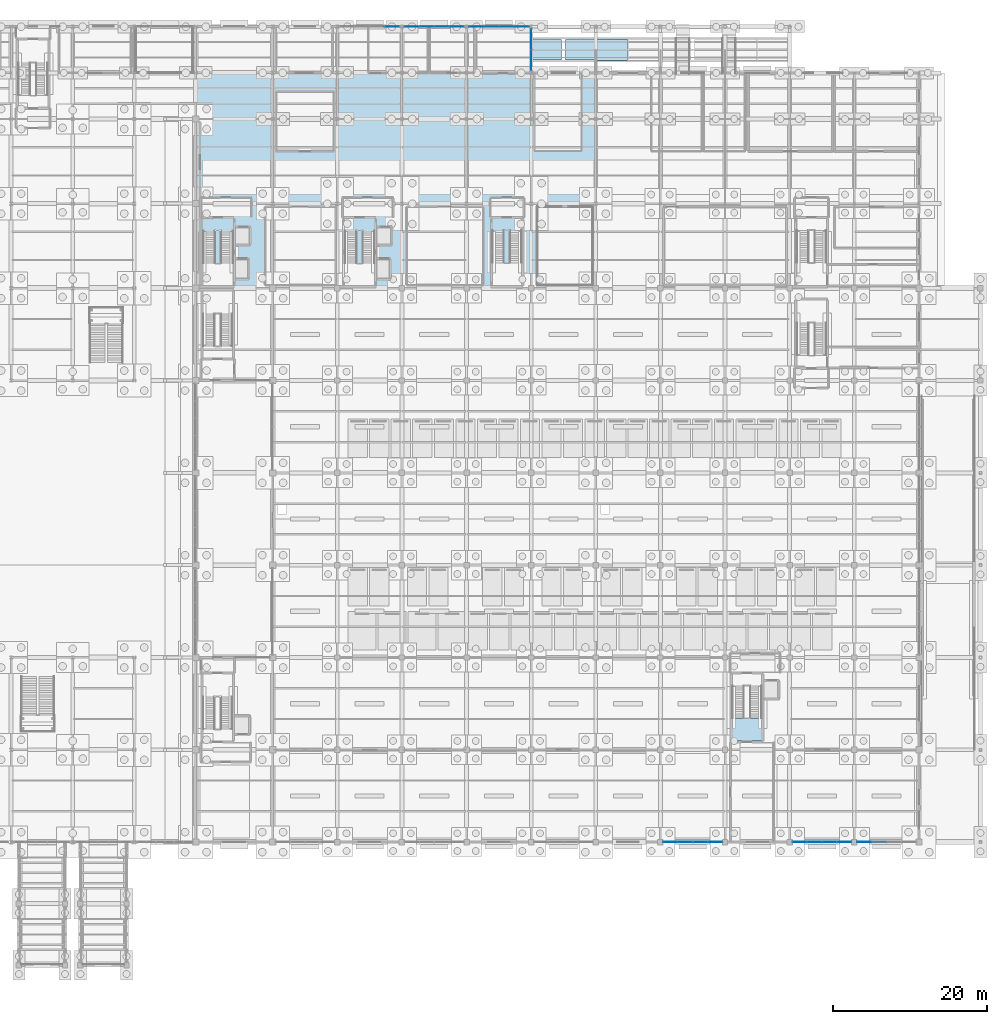
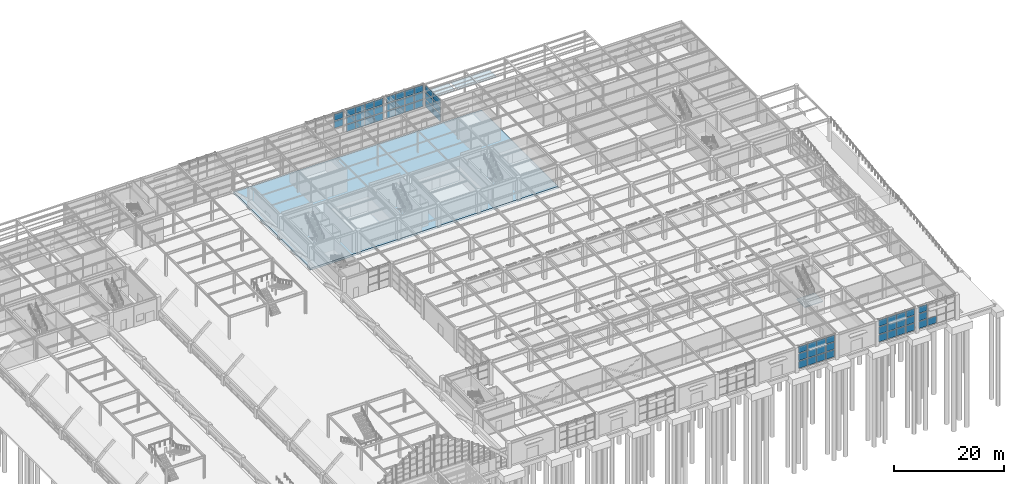
# One storey, part 90 of 129: 63 plates, 2 slabs, 8 elements without a shape of their own.
"""IFC4 building model written with IfcOpenShell, lengths in metres."""

import ifcopenshell
import ifcopenshell.guid

model = None  # the IFC model being written
_history = None  # IfcOwnerHistory: only IFC2X3 demands one
_inside = {}  # id of a spatial element -> (the spatial element, [elements in it])
_under = {}  # id of a project, library or spatial element -> (it, [spatial elements below it])
_declared = {}  # id of a project -> (the project, [libraries it declares])
_typed = {}  # id of a type object -> (the type object, [elements of that type])
_made_of = {}  # id of a material, layer set ... -> (it, [elements and type objects made of it])


def new_model(schema):
    """Start an empty IFC model of exactly this schema.

    Asked for "IFC4X3", IfcOpenShell would pick the latest addendum, in which some entities
    have other attributes; the version numbers below select the first issue.
    IFC2X3 requires an IfcOwnerHistory on every rooted entity: one is made here for all.
    """
    global model, _history
    if schema == "IFC4X3":
        model = ifcopenshell.file(schema_version=(4, 3, 0, 0))
    else:
        model = ifcopenshell.file(schema=schema)
    _inside.clear()
    _under.clear()
    _declared.clear()
    _typed.clear()
    _made_of.clear()
    _history = None
    if model.schema == "IFC2X3":
        org = make("IfcOrganization", Name="unknown")
        user = make(
            "IfcPersonAndOrganization",
            ThePerson=make("IfcPerson", FamilyName="unknown"),
            TheOrganization=org,
        )
        app = make(
            "IfcApplication",
            ApplicationDeveloper=org,
            Version="unknown",
            ApplicationFullName="unknown",
            ApplicationIdentifier="unknown",
        )
        _history = make(
            "IfcOwnerHistory",
            OwningUser=user,
            OwningApplication=app,
            ChangeAction="ADDED",
            CreationDate=0,
        )
    return model


def make(cls, **values):
    """One entity of the class cls with the attributes given. An attribute that is None is left unset."""
    return model.create_entity(
        cls, **{name: value for name, value in values.items() if value is not None}
    )


def rooted(cls, **values):
    """An entity with a GlobalId (a new one), such as an element, a storey or a relation."""
    return make(cls, GlobalId=ifcopenshell.guid.new(), OwnerHistory=_history, **values)


def si_unit(unit_type, name, prefix=None):
    """IfcSIUnit, for example si_unit("LENGTHUNIT", "METRE", prefix="MILLI")."""
    return make("IfcSIUnit", UnitType=unit_type, Prefix=prefix, Name=name)


def assignment(units):
    """IfcUnitAssignment: the units of a project."""
    return None if units is None else make("IfcUnitAssignment", Units=units)


def point(xyz):
    """IfcCartesianPoint."""
    return None if xyz is None else make("IfcCartesianPoint", Coordinates=xyz)


def direction(xyz):
    """IfcDirection."""
    return None if xyz is None else make("IfcDirection", DirectionRatios=xyz)


def frame(location, z_axis=None, x_axis=None):
    """IfcAxis2Placement3D, a coordinate frame: its origin and axes. An axis left out is left unset."""
    return make(
        "IfcAxis2Placement3D",
        Location=point(location),
        Axis=direction(z_axis),
        RefDirection=direction(x_axis),
    )


def frame_2d(location, x_axis=None):
    """IfcAxis2Placement2D, a coordinate frame in the plane: its origin and x axis."""
    return make(
        "IfcAxis2Placement2D", Location=point(location), RefDirection=direction(x_axis)
    )


def origin():
    """The frame at (0, 0, 0) with its axes left unset."""
    return frame((0.0, 0.0, 0.0))


def origin_2d():
    """The frame at (0, 0) in the plane with its x axis left unset."""
    return frame_2d((0.0, 0.0))


def place(relative_to, where):
    """IfcLocalPlacement: puts the frame where relative to a parent placement (None: the world)."""
    return make(
        "IfcLocalPlacement", PlacementRelTo=relative_to, RelativePlacement=where
    )


def context(
    kind, dimensions, precision=None, world=None, true_north=None, identifier=None
):
    """IfcGeometricRepresentationContext, for example the 3D "Model" context."""
    return make(
        "IfcGeometricRepresentationContext",
        ContextIdentifier=identifier,
        ContextType=kind,
        CoordinateSpaceDimension=dimensions,
        Precision=precision,
        WorldCoordinateSystem=world,
        TrueNorth=true_north,
    )


def subcontext(parent, identifier, kind, view, scale=None):
    """IfcGeometricRepresentationSubContext, for example "Body" below "Model"."""
    return make(
        "IfcGeometricRepresentationSubContext",
        ContextIdentifier=identifier,
        ContextType=kind,
        ParentContext=parent,
        TargetScale=scale,
        TargetView=view,
    )


def project(units=None, contexts=None):
    """IfcProject with its units and contexts."""
    return rooted(
        "IfcProject",
        Name="project",
        RepresentationContexts=contexts,
        UnitsInContext=assignment(units),
    )


def spatial(cls, under=None, at=None, **own):
    """A site, building, storey or space (cls), placed at a placement, below another one or the project."""
    s = rooted(cls, ObjectPlacement=at, **own)
    if under is not None:
        _under.setdefault(under.id(), (under, []))[1].append(s)
    return s


def polyline(points):
    """IfcPolyline through the points."""
    return make("IfcPolyline", Points=[point(p) for p in points])


def profile(cls, at=None, kind="AREA", **sizes):
    """A parametric profile (cls). Its sizes go by their IFC names, for example OverallWidth=200.0."""
    return make(cls, ProfileType=kind, Position=at, **sizes)


def rectangle(**sizes):
    """IfcRectangleProfileDef."""
    return profile("IfcRectangleProfileDef", **sizes)


def outline(outer, holes=None, kind="AREA"):
    """IfcArbitraryClosedProfileDef: a profile drawn as a closed curve; with holes, ...WithVoids."""
    if holes is None:
        return make("IfcArbitraryClosedProfileDef", ProfileType=kind, OuterCurve=outer)
    return make(
        "IfcArbitraryProfileDefWithVoids",
        ProfileType=kind,
        OuterCurve=outer,
        InnerCurves=holes,
    )


def extrude(swept, where, along, depth):
    """IfcExtrudedAreaSolid: the profile swept, set in the frame where, extruded along a direction by depth."""
    return make(
        "IfcExtrudedAreaSolid",
        SweptArea=swept,
        Position=where,
        ExtrudedDirection=direction(along),
        Depth=depth,
    )


def shape(context_of_items, identifier, shape_type, items):
    """IfcShapeRepresentation: the items that make up one representation, for example the "Body"."""
    return make(
        "IfcShapeRepresentation",
        ContextOfItems=context_of_items,
        RepresentationIdentifier=identifier,
        RepresentationType=shape_type,
        Items=items,
    )


def material(Name=None, Category=None):
    """IfcMaterial."""
    return make("IfcMaterial", Name=Name, Category=Category)


def layer(
    of_material, thickness, ventilated=None, Name=None, Category=None, Priority=None
):
    """IfcMaterialLayer: one layer of a wall or slab, of a material (None: an air gap)."""
    return make(
        "IfcMaterialLayer",
        Material=of_material,
        LayerThickness=thickness,
        IsVentilated=ventilated,
        Name=Name,
        Category=Category,
        Priority=Priority,
    )


def layer_set(layers, Name=None):
    """IfcMaterialLayerSet."""
    return make("IfcMaterialLayerSet", MaterialLayers=layers, LayerSetName=Name)


def made_of(thing, what):
    """Note that an element or type object is made of a material, layer set ...; save() writes the relation."""
    if what is not None:
        _made_of.setdefault(what.id(), (what, []))[1].append(thing)
    return thing


def type_object(cls, material=None, **own):
    """A type object (cls), such as IfcWallType, which elements share."""
    return made_of(rooted(cls, **own), material)


def element(
    cls,
    number,
    at=None,
    inside=None,
    cuts=None,
    type_object=None,
    material=None,
    context=None,
    identifier="Body",
    shape_type=None,
    held_by="IfcProductDefinitionShape",
    body=None,
    shapes=None,
    **own,
):
    """One element of the class cls, such as IfcWall. Its Tag is "e" and its number.

    at: its placement. inside: the storey or other place that contains it. cuts: it is an
    opening in that element (IfcRelVoidsElement). A single representation is given by context,
    identifier, shape_type and body (its items); several are given by shapes. held_by: the class
    of the entity that holds the representations. save() writes the other relations.
    """
    e = rooted(cls, Tag="e%d" % number, ObjectPlacement=at, **own)
    if body is not None:
        shapes = [shape(context, identifier, shape_type, body)]
    if shapes is not None:
        e.Representation = make(held_by, Representations=shapes)
    if inside is not None:
        _inside.setdefault(inside.id(), (inside, []))[1].append(e)
    if cuts is not None:
        rooted(
            "IfcRelVoidsElement", RelatingBuildingElement=cuts, RelatedOpeningElement=e
        )
    if type_object is not None:
        _typed.setdefault(type_object.id(), (type_object, []))[1].append(e)
    return made_of(e, material)


def aggregate(whole, parts):
    """IfcRelAggregates: a whole, such as a stair, and the parts it consists of."""
    return rooted("IfcRelAggregates", RelatingObject=whole, RelatedObjects=parts)


def save(model, path):
    """Write the relations noted so far, then the file.

    IfcRelAggregates (storeys below a building ...), IfcRelContainedInSpatialStructure (elements
    in a storey), IfcRelDefinesByType, IfcRelAssociatesMaterial and IfcRelDeclares: one each for
    every whole, place, type object, material and project.
    """
    for whole, parts in _under.values():
        aggregate(whole, parts)
    for where, things in _inside.values():
        rooted(
            "IfcRelContainedInSpatialStructure",
            RelatedElements=things,
            RelatingStructure=where,
        )
    for kind, things in _typed.values():
        rooted("IfcRelDefinesByType", RelatedObjects=things, RelatingType=kind)
    for what, things in _made_of.values():
        rooted("IfcRelAssociatesMaterial", RelatedObjects=things, RelatingMaterial=what)
    for by, libraries in _declared.values():
        rooted("IfcRelDeclares", RelatingContext=by, RelatedDefinitions=libraries)
    model.write(path)


model = new_model("IFC4")

# Units and contexts
model_context = context("Model", 3, precision=1e-05, world=origin(), true_north=direction((0.0, 1.0)))
body_context = subcontext(model_context, "Body", "Model", "MODEL_VIEW")
ifc_project = project(units=[si_unit("LENGTHUNIT", "METRE"), si_unit("AREAUNIT", "SQUARE_METRE"), si_unit("VOLUMEUNIT", "CUBIC_METRE"), si_unit("PLANEANGLEUNIT", "RADIAN"), si_unit("MASSUNIT", "GRAM", prefix="KILO")], contexts=[model_context])

# Site, building, storey
site_placement = place(None, origin())
site = spatial("IfcSite", under=ifc_project, at=site_placement, CompositionType="ELEMENT")
building_placement = place(site_placement, origin())
building = spatial("IfcBuilding", under=site, at=building_placement, Name="Sitalva Quay Ferry Terminal", CompositionType="ELEMENT")
storey_placement = place(building_placement, origin())
storey = spatial("IfcBuildingStorey", under=building, at=storey_placement, Name="L01", CompositionType="ELEMENT", Elevation=0.0)

# Curtain wall, plates
ifc_material_1 = material(Name="Anodised Aluminium & Low-E Glazing", Category="aluminium")
ifc_layer_1 = layer(ifc_material_1, 0.159912109375)
ifc_layer_set_1 = layer_set([ifc_layer_1], Name="Anodised Aluminium & Low-E Glazing")
curtain_wall_type_1 = type_object("IfcCurtainWallType", Name="CW_Podium_Stick", PredefinedType="USERDEFINED", material=ifc_layer_set_1)
curtain_wall_1_placement = place(storey_placement, origin())
curtain_wall_1 = element("IfcCurtainWall", 1, at=curtain_wall_1_placement, inside=storey, type_object=curtain_wall_type_1, Name="Forecourt east return glazing L01 (CW-L01-101)", ObjectType="CURTAIN_WALL", PredefinedType="USERDEFINED")
ifc_material_2 = material(Name="Laminated Low-E Double Glazing", Category="glass")
ifc_layer_2 = layer(ifc_material_2, 0.028076171875)
ifc_layer_set_2 = layer_set([ifc_layer_2], Name="Laminated Low-E Double Glazing")
plate_type_1 = type_object("IfcPlateType", Name="Panel_LowE_IGU_28", PredefinedType="CURTAIN_PANEL", material=ifc_layer_set_2)
plate_1_placement = place(storey_placement, frame((117.60009765625, 107.64990234375, 0.155029296875), z_axis=(0.0, 0.0, 1.0), x_axis=(0.0, 1.0, 0.0)))
plate_1 = element("IfcPlate", 2, at=plate_1_placement, type_object=plate_type_1, Name="CW-L01-101-P0-0", PredefinedType="CURTAIN_PANEL", context=body_context, shape_type="SweptSolid", body=[
    extrude(rectangle(XDim=2.625, YDim=0.028076171875, at=origin_2d()), origin(), (0.0, 0.0, 1.0), 1.5517578125),
])
plate_2_placement = place(storey_placement, frame((117.60009765625, 107.64990234375, 1.861572265625), z_axis=(0.0, 0.0, 1.0), x_axis=(0.0, 1.0, 0.0)))
plate_2 = element("IfcPlate", 3, at=plate_2_placement, type_object=plate_type_1, Name="CW-L01-101-P0-1", PredefinedType="CURTAIN_PANEL", context=body_context, shape_type="SweptSolid", body=[
    extrude(rectangle(XDim=2.625, YDim=0.028076171875, at=origin_2d()), origin(), (0.0, 0.0, 1.0), 1.5517578125),
])
plate_3_placement = place(storey_placement, frame((117.60009765625, 107.64990234375, 3.568359375), z_axis=(0.0, 0.0, 1.0), x_axis=(0.0, 1.0, 0.0)))
plate_3 = element("IfcPlate", 4, at=plate_3_placement, type_object=plate_type_1, Name="CW-L01-101-P0-2", PredefinedType="CURTAIN_PANEL", context=body_context, shape_type="SweptSolid", body=[
    extrude(rectangle(XDim=2.625, YDim=0.028076171875, at=origin_2d()), origin(), (0.0, 0.0, 1.0), 1.396728515625),
])
plate_4_placement = place(storey_placement, frame((117.60009765625, 110.35009765625, 0.155029296875), z_axis=(0.0, 0.0, 1.0), x_axis=(0.0, 1.0, 0.0)))
plate_4 = element("IfcPlate", 5, at=plate_4_placement, type_object=plate_type_1, Name="CW-L01-101-P1-0", PredefinedType="CURTAIN_PANEL", context=body_context, shape_type="SweptSolid", body=[
    extrude(rectangle(XDim=2.625, YDim=0.028076171875, at=origin_2d()), origin(), (0.0, 0.0, 1.0), 1.5517578125),
])
plate_5_placement = place(storey_placement, frame((117.60009765625, 110.35009765625, 1.861572265625), z_axis=(0.0, 0.0, 1.0), x_axis=(0.0, 1.0, 0.0)))
plate_5 = element("IfcPlate", 6, at=plate_5_placement, type_object=plate_type_1, Name="CW-L01-101-P1-1", PredefinedType="CURTAIN_PANEL", context=body_context, shape_type="SweptSolid", body=[
    extrude(rectangle(XDim=2.625, YDim=0.028076171875, at=origin_2d()), origin(), (0.0, 0.0, 1.0), 1.5517578125),
])
plate_6_placement = place(storey_placement, frame((117.60009765625, 110.35009765625, 3.568359375), z_axis=(0.0, 0.0, 1.0), x_axis=(0.0, 1.0, 0.0)))
plate_6 = element("IfcPlate", 7, at=plate_6_placement, type_object=plate_type_1, Name="CW-L01-101-P1-2", PredefinedType="CURTAIN_PANEL", context=body_context, shape_type="SweptSolid", body=[
    extrude(rectangle(XDim=2.625, YDim=0.028076171875, at=origin_2d()), origin(), (0.0, 0.0, 1.0), 1.396728515625),
])
aggregate(curtain_wall_1, [plate_1, plate_2, plate_3, plate_4, plate_5, plate_6])

ifc_material_3 = material(Name="Anodised Aluminium & Low-E Glazing", Category="aluminium")
ifc_layer_3 = layer(ifc_material_3, 0.159912109375)
ifc_layer_set_3 = layer_set([ifc_layer_3], Name="Anodised Aluminium & Low-E Glazing")
curtain_wall_type_2 = type_object("IfcCurtainWallType", Name="CW_Concourse_Unitised", PredefinedType="USERDEFINED", material=ifc_layer_set_3)
curtain_wall_2_placement = place(storey_placement, origin())
curtain_wall_2 = element("IfcCurtainWall", 8, at=curtain_wall_2_placement, inside=storey, type_object=curtain_wall_type_2, Name="South-east quay concourse curtain wall (CW-L01-067)", ObjectType="CURTAIN_WALL", PredefinedType="USERDEFINED")
ifc_material_4 = material(Name="Acoustic Laminated Marine Glazing", Category="glass")
ifc_layer_4 = layer(ifc_material_4, 0.033935546875)
ifc_layer_set_4 = layer_set([ifc_layer_4], Name="Acoustic Laminated Marine Glazing")
plate_type_2 = type_object("IfcPlateType", Name="Panel_Marine_IGU_34", PredefinedType="CURTAIN_PANEL", material=ifc_layer_set_4)
plate_7_placement = place(storey_placement, frame((135.71240234375, 6.0, 1.856689453125), z_axis=(0.0, 0.0, 1.0), x_axis=(1.0, 0.0, 0.0)))
plate_7 = element("IfcPlate", 9, at=plate_7_placement, type_object=plate_type_2, Name="CW-L01-067-P0-1", PredefinedType="CURTAIN_PANEL", context=body_context, shape_type="SweptSolid", body=[
    extrude(rectangle(XDim=1.840087890625, YDim=0.033935546875, at=origin_2d()), origin(), (0.0, 0.0, 1.0), 1.556640625),
])
plate_8_placement = place(storey_placement, frame((135.71240234375, 6.0, 3.563232421875), z_axis=(0.0, 0.0, 1.0), x_axis=(1.0, 0.0, 0.0)))
plate_8 = element("IfcPlate", 10, at=plate_8_placement, type_object=plate_type_2, Name="CW-L01-067-P0-2", PredefinedType="CURTAIN_PANEL", context=body_context, shape_type="SweptSolid", body=[
    extrude(rectangle(XDim=1.840087890625, YDim=0.033935546875, at=origin_2d()), origin(), (0.0, 0.0, 1.0), 1.40673828125),
])
plate_9_placement = place(storey_placement, frame((137.637451171875, 6.0, 1.856689453125), z_axis=(0.0, 0.0, 1.0), x_axis=(1.0, 0.0, 0.0)))
plate_9 = element("IfcPlate", 11, at=plate_9_placement, type_object=plate_type_2, Name="CW-L01-067-P1-1", PredefinedType="CURTAIN_PANEL", context=body_context, shape_type="SweptSolid", body=[
    extrude(rectangle(XDim=1.840087890625, YDim=0.033935546875, at=origin_2d()), origin(), (0.0, 0.0, 1.0), 1.556640625),
])
plate_10_placement = place(storey_placement, frame((137.637451171875, 6.0, 3.563232421875), z_axis=(0.0, 0.0, 1.0), x_axis=(1.0, 0.0, 0.0)))
plate_10 = element("IfcPlate", 12, at=plate_10_placement, type_object=plate_type_2, Name="CW-L01-067-P1-2", PredefinedType="CURTAIN_PANEL", context=body_context, shape_type="SweptSolid", body=[
    extrude(rectangle(XDim=1.840087890625, YDim=0.033935546875, at=origin_2d()), origin(), (0.0, 0.0, 1.0), 1.40673828125),
])
plate_11_placement = place(storey_placement, frame((139.5625, 6.0, 1.856689453125), z_axis=(0.0, 0.0, 1.0), x_axis=(1.0, 0.0, 0.0)))
plate_11 = element("IfcPlate", 13, at=plate_11_placement, type_object=plate_type_2, Name="CW-L01-067-P2-1", PredefinedType="CURTAIN_PANEL", context=body_context, shape_type="SweptSolid", body=[
    extrude(rectangle(XDim=1.840087890625, YDim=0.033935546875, at=origin_2d()), origin(), (0.0, 0.0, 1.0), 1.556640625),
])
plate_12_placement = place(storey_placement, frame((139.5625, 6.0, 3.563232421875), z_axis=(0.0, 0.0, 1.0), x_axis=(1.0, 0.0, 0.0)))
plate_12 = element("IfcPlate", 14, at=plate_12_placement, type_object=plate_type_2, Name="CW-L01-067-P2-2", PredefinedType="CURTAIN_PANEL", context=body_context, shape_type="SweptSolid", body=[
    extrude(rectangle(XDim=1.840087890625, YDim=0.033935546875, at=origin_2d()), origin(), (0.0, 0.0, 1.0), 1.40673828125),
])
plate_13_placement = place(storey_placement, frame((141.487548828125, 6.0, 1.856689453125), z_axis=(0.0, 0.0, 1.0), x_axis=(1.0, 0.0, 0.0)))
plate_13 = element("IfcPlate", 15, at=plate_13_placement, type_object=plate_type_2, Name="CW-L01-067-P3-1", PredefinedType="CURTAIN_PANEL", context=body_context, shape_type="SweptSolid", body=[
    extrude(rectangle(XDim=1.840087890625, YDim=0.033935546875, at=origin_2d()), origin(), (0.0, 0.0, 1.0), 1.556640625),
])
plate_14_placement = place(storey_placement, frame((141.487548828125, 6.0, 3.563232421875), z_axis=(0.0, 0.0, 1.0), x_axis=(1.0, 0.0, 0.0)))
plate_14 = element("IfcPlate", 16, at=plate_14_placement, type_object=plate_type_2, Name="CW-L01-067-P3-2", PredefinedType="CURTAIN_PANEL", context=body_context, shape_type="SweptSolid", body=[
    extrude(rectangle(XDim=1.840087890625, YDim=0.033935546875, at=origin_2d()), origin(), (0.0, 0.0, 1.0), 1.40673828125),
])

curtain_wall_3_placement = place(storey_placement, origin())
curtain_wall_3 = element("IfcCurtainWall", 17, at=curtain_wall_3_placement, inside=storey, type_object=curtain_wall_type_2, Name="South-east quay concourse curtain wall (CW-L01-070)", ObjectType="CURTAIN_WALL", PredefinedType="USERDEFINED")
plate_15_placement = place(storey_placement, frame((152.512451171875, 6.0, 1.856689453125), z_axis=(0.0, 0.0, 1.0), x_axis=(1.0, 0.0, 0.0)))
plate_15 = element("IfcPlate", 18, at=plate_15_placement, type_object=plate_type_2, Name="CW-L01-070-P0-1", PredefinedType="CURTAIN_PANEL", context=body_context, shape_type="SweptSolid", body=[
    extrude(rectangle(XDim=1.840087890625, YDim=0.033935546875, at=origin_2d()), origin(), (0.0, 0.0, 1.0), 1.556640625),
])
plate_16_placement = place(storey_placement, frame((152.512451171875, 6.0, 3.563232421875), z_axis=(0.0, 0.0, 1.0), x_axis=(1.0, 0.0, 0.0)))
plate_16 = element("IfcPlate", 19, at=plate_16_placement, type_object=plate_type_2, Name="CW-L01-070-P0-2", PredefinedType="CURTAIN_PANEL", context=body_context, shape_type="SweptSolid", body=[
    extrude(rectangle(XDim=1.840087890625, YDim=0.033935546875, at=origin_2d()), origin(), (0.0, 0.0, 1.0), 1.40673828125),
])
plate_17_placement = place(storey_placement, frame((154.4375, 6.0, 1.856689453125), z_axis=(0.0, 0.0, 1.0), x_axis=(1.0, 0.0, 0.0)))
plate_17 = element("IfcPlate", 20, at=plate_17_placement, type_object=plate_type_2, Name="CW-L01-070-P1-1", PredefinedType="CURTAIN_PANEL", context=body_context, shape_type="SweptSolid", body=[
    extrude(rectangle(XDim=1.840087890625, YDim=0.033935546875, at=origin_2d()), origin(), (0.0, 0.0, 1.0), 1.556640625),
])
plate_18_placement = place(storey_placement, frame((154.4375, 6.0, 3.563232421875), z_axis=(0.0, 0.0, 1.0), x_axis=(1.0, 0.0, 0.0)))
plate_18 = element("IfcPlate", 21, at=plate_18_placement, type_object=plate_type_2, Name="CW-L01-070-P1-2", PredefinedType="CURTAIN_PANEL", context=body_context, shape_type="SweptSolid", body=[
    extrude(rectangle(XDim=1.840087890625, YDim=0.033935546875, at=origin_2d()), origin(), (0.0, 0.0, 1.0), 1.40673828125),
])
plate_19_placement = place(storey_placement, frame((156.362548828125, 6.0, 1.856689453125), z_axis=(0.0, 0.0, 1.0), x_axis=(1.0, 0.0, 0.0)))
plate_19 = element("IfcPlate", 22, at=plate_19_placement, type_object=plate_type_2, Name="CW-L01-070-P2-1", PredefinedType="CURTAIN_PANEL", context=body_context, shape_type="SweptSolid", body=[
    extrude(rectangle(XDim=1.840087890625, YDim=0.033935546875, at=origin_2d()), origin(), (0.0, 0.0, 1.0), 1.556640625),
])
plate_20_placement = place(storey_placement, frame((156.362548828125, 6.0, 3.563232421875), z_axis=(0.0, 0.0, 1.0), x_axis=(1.0, 0.0, 0.0)))
plate_20 = element("IfcPlate", 23, at=plate_20_placement, type_object=plate_type_2, Name="CW-L01-070-P2-2", PredefinedType="CURTAIN_PANEL", context=body_context, shape_type="SweptSolid", body=[
    extrude(rectangle(XDim=1.840087890625, YDim=0.033935546875, at=origin_2d()), origin(), (0.0, 0.0, 1.0), 1.40673828125),
])
plate_21_placement = place(storey_placement, frame((158.28759765625, 6.0, 1.856689453125), z_axis=(0.0, 0.0, 1.0), x_axis=(1.0, 0.0, 0.0)))
plate_21 = element("IfcPlate", 24, at=plate_21_placement, type_object=plate_type_2, Name="CW-L01-070-P3-1", PredefinedType="CURTAIN_PANEL", context=body_context, shape_type="SweptSolid", body=[
    extrude(rectangle(XDim=1.840087890625, YDim=0.033935546875, at=origin_2d()), origin(), (0.0, 0.0, 1.0), 1.556640625),
])
plate_22_placement = place(storey_placement, frame((158.28759765625, 6.0, 3.563232421875), z_axis=(0.0, 0.0, 1.0), x_axis=(1.0, 0.0, 0.0)))
plate_22 = element("IfcPlate", 25, at=plate_22_placement, type_object=plate_type_2, Name="CW-L01-070-P3-2", PredefinedType="CURTAIN_PANEL", context=body_context, shape_type="SweptSolid", body=[
    extrude(rectangle(XDim=1.840087890625, YDim=0.033935546875, at=origin_2d()), origin(), (0.0, 0.0, 1.0), 1.40673828125),
])

curtain_wall_4_placement = place(storey_placement, origin())
curtain_wall_4 = element("IfcCurtainWall", 26, at=curtain_wall_4_placement, inside=storey, type_object=curtain_wall_type_2, Name="South-east quay concourse curtain wall (CW-L01-072)", ObjectType="CURTAIN_WALL", PredefinedType="USERDEFINED")
plate_23_placement = place(storey_placement, frame((160.91259765625, 6.0, 1.856689453125), z_axis=(0.0, 0.0, 1.0), x_axis=(1.0, 0.0, 0.0)))
plate_23 = element("IfcPlate", 27, at=plate_23_placement, type_object=plate_type_2, Name="CW-L01-072-P0-1", PredefinedType="CURTAIN_PANEL", context=body_context, shape_type="SweptSolid", body=[
    extrude(rectangle(XDim=1.840087890625, YDim=0.033935546875, at=origin_2d()), origin(), (0.0, 0.0, 1.0), 1.556640625),
])
plate_24_placement = place(storey_placement, frame((160.91259765625, 6.0, 3.563232421875), z_axis=(0.0, 0.0, 1.0), x_axis=(1.0, 0.0, 0.0)))
plate_24 = element("IfcPlate", 28, at=plate_24_placement, type_object=plate_type_2, Name="CW-L01-072-P0-2", PredefinedType="CURTAIN_PANEL", context=body_context, shape_type="SweptSolid", body=[
    extrude(rectangle(XDim=1.840087890625, YDim=0.033935546875, at=origin_2d()), origin(), (0.0, 0.0, 1.0), 1.40673828125),
])

curtain_wall_5_placement = place(storey_placement, origin())
curtain_wall_5 = element("IfcCurtainWall", 29, at=curtain_wall_5_placement, inside=storey, type_object=curtain_wall_type_2, Name="Forecourt arrival hall glazing L01 (CW-L01-103)", ObjectType="CURTAIN_WALL", PredefinedType="USERDEFINED")
plate_25_placement = place(storey_placement, frame((99.52490234375, 112.0, 1.856689453125), z_axis=(0.0, 0.0, 1.0), x_axis=(1.0, 0.0, 0.0)))
plate_25 = element("IfcPlate", 30, at=plate_25_placement, type_object=plate_type_2, Name="CW-L01-103-P3-1", PredefinedType="CURTAIN_PANEL", context=body_context, shape_type="SweptSolid", body=[
    extrude(rectangle(XDim=1.864990234375, YDim=0.033935546875, at=origin_2d()), origin(), (0.0, 0.0, 1.0), 1.556640625),
])
plate_26_placement = place(storey_placement, frame((99.52490234375, 112.0, 3.563232421875), z_axis=(0.0, 0.0, 1.0), x_axis=(1.0, 0.0, 0.0)))
plate_26 = element("IfcPlate", 31, at=plate_26_placement, type_object=plate_type_2, Name="CW-L01-103-P3-2", PredefinedType="CURTAIN_PANEL", context=body_context, shape_type="SweptSolid", body=[
    extrude(rectangle(XDim=1.864990234375, YDim=0.033935546875, at=origin_2d()), origin(), (0.0, 0.0, 1.0), 1.40673828125),
])
aggregate(curtain_wall_5, [plate_25, plate_26])

curtain_wall_6_placement = place(storey_placement, origin())
curtain_wall_6 = element("IfcCurtainWall", 32, at=curtain_wall_6_placement, inside=storey, type_object=curtain_wall_type_2, Name="Forecourt arrival hall glazing L01 (CW-L01-104)", ObjectType="CURTAIN_WALL", PredefinedType="USERDEFINED")
plate_27_placement = place(storey_placement, frame((102.074951171875, 112.0, 0.14990234375), z_axis=(0.0, 0.0, 1.0), x_axis=(1.0, 0.0, 0.0)))
plate_27 = element("IfcPlate", 33, at=plate_27_placement, type_object=plate_type_2, Name="CW-L01-104-P0-0", PredefinedType="CURTAIN_PANEL", context=body_context, shape_type="SweptSolid", body=[
    extrude(rectangle(XDim=1.864990234375, YDim=0.033935546875, at=origin_2d()), origin(), (0.0, 0.0, 1.0), 1.556640625),
])
plate_28_placement = place(storey_placement, frame((102.074951171875, 112.0, 1.856689453125), z_axis=(0.0, 0.0, 1.0), x_axis=(1.0, 0.0, 0.0)))
plate_28 = element("IfcPlate", 34, at=plate_28_placement, type_object=plate_type_2, Name="CW-L01-104-P0-1", PredefinedType="CURTAIN_PANEL", context=body_context, shape_type="SweptSolid", body=[
    extrude(rectangle(XDim=1.864990234375, YDim=0.033935546875, at=origin_2d()), origin(), (0.0, 0.0, 1.0), 1.556640625),
])
plate_29_placement = place(storey_placement, frame((102.074951171875, 112.0, 3.563232421875), z_axis=(0.0, 0.0, 1.0), x_axis=(1.0, 0.0, 0.0)))
plate_29 = element("IfcPlate", 35, at=plate_29_placement, type_object=plate_type_2, Name="CW-L01-104-P0-2", PredefinedType="CURTAIN_PANEL", context=body_context, shape_type="SweptSolid", body=[
    extrude(rectangle(XDim=1.864990234375, YDim=0.033935546875, at=origin_2d()), origin(), (0.0, 0.0, 1.0), 1.40673828125),
])
plate_30_placement = place(storey_placement, frame((104.02490234375, 112.0, 0.14990234375), z_axis=(0.0, 0.0, 1.0), x_axis=(1.0, 0.0, 0.0)))
plate_30 = element("IfcPlate", 36, at=plate_30_placement, type_object=plate_type_2, Name="CW-L01-104-P1-0", PredefinedType="CURTAIN_PANEL", context=body_context, shape_type="SweptSolid", body=[
    extrude(rectangle(XDim=1.864990234375, YDim=0.033935546875, at=origin_2d()), origin(), (0.0, 0.0, 1.0), 1.556640625),
])
plate_31_placement = place(storey_placement, frame((104.02490234375, 112.0, 1.856689453125), z_axis=(0.0, 0.0, 1.0), x_axis=(1.0, 0.0, 0.0)))
plate_31 = element("IfcPlate", 37, at=plate_31_placement, type_object=plate_type_2, Name="CW-L01-104-P1-1", PredefinedType="CURTAIN_PANEL", context=body_context, shape_type="SweptSolid", body=[
    extrude(rectangle(XDim=1.864990234375, YDim=0.033935546875, at=origin_2d()), origin(), (0.0, 0.0, 1.0), 1.556640625),
])
plate_32_placement = place(storey_placement, frame((104.02490234375, 112.0, 3.563232421875), z_axis=(0.0, 0.0, 1.0), x_axis=(1.0, 0.0, 0.0)))
plate_32 = element("IfcPlate", 38, at=plate_32_placement, type_object=plate_type_2, Name="CW-L01-104-P1-2", PredefinedType="CURTAIN_PANEL", context=body_context, shape_type="SweptSolid", body=[
    extrude(rectangle(XDim=1.864990234375, YDim=0.033935546875, at=origin_2d()), origin(), (0.0, 0.0, 1.0), 1.40673828125),
])
plate_33_placement = place(storey_placement, frame((105.97509765625, 112.0, 0.14990234375), z_axis=(0.0, 0.0, 1.0), x_axis=(1.0, 0.0, 0.0)))
plate_33 = element("IfcPlate", 39, at=plate_33_placement, type_object=plate_type_2, Name="CW-L01-104-P2-0", PredefinedType="CURTAIN_PANEL", context=body_context, shape_type="SweptSolid", body=[
    extrude(rectangle(XDim=1.864990234375, YDim=0.033935546875, at=origin_2d()), origin(), (0.0, 0.0, 1.0), 1.556640625),
])
plate_34_placement = place(storey_placement, frame((105.97509765625, 112.0, 1.856689453125), z_axis=(0.0, 0.0, 1.0), x_axis=(1.0, 0.0, 0.0)))
plate_34 = element("IfcPlate", 40, at=plate_34_placement, type_object=plate_type_2, Name="CW-L01-104-P2-1", PredefinedType="CURTAIN_PANEL", context=body_context, shape_type="SweptSolid", body=[
    extrude(rectangle(XDim=1.864990234375, YDim=0.033935546875, at=origin_2d()), origin(), (0.0, 0.0, 1.0), 1.556640625),
])
plate_35_placement = place(storey_placement, frame((105.97509765625, 112.0, 3.563232421875), z_axis=(0.0, 0.0, 1.0), x_axis=(1.0, 0.0, 0.0)))
plate_35 = element("IfcPlate", 41, at=plate_35_placement, type_object=plate_type_2, Name="CW-L01-104-P2-2", PredefinedType="CURTAIN_PANEL", context=body_context, shape_type="SweptSolid", body=[
    extrude(rectangle(XDim=1.864990234375, YDim=0.033935546875, at=origin_2d()), origin(), (0.0, 0.0, 1.0), 1.40673828125),
])
plate_36_placement = place(storey_placement, frame((107.925048828125, 112.0, 0.14990234375), z_axis=(0.0, 0.0, 1.0), x_axis=(1.0, 0.0, 0.0)))
plate_36 = element("IfcPlate", 42, at=plate_36_placement, type_object=plate_type_2, Name="CW-L01-104-P3-0", PredefinedType="CURTAIN_PANEL", context=body_context, shape_type="SweptSolid", body=[
    extrude(rectangle(XDim=1.864990234375, YDim=0.033935546875, at=origin_2d()), origin(), (0.0, 0.0, 1.0), 1.556640625),
])
plate_37_placement = place(storey_placement, frame((107.925048828125, 112.0, 1.856689453125), z_axis=(0.0, 0.0, 1.0), x_axis=(1.0, 0.0, 0.0)))
plate_37 = element("IfcPlate", 43, at=plate_37_placement, type_object=plate_type_2, Name="CW-L01-104-P3-1", PredefinedType="CURTAIN_PANEL", context=body_context, shape_type="SweptSolid", body=[
    extrude(rectangle(XDim=1.864990234375, YDim=0.033935546875, at=origin_2d()), origin(), (0.0, 0.0, 1.0), 1.556640625),
])
plate_38_placement = place(storey_placement, frame((107.925048828125, 112.0, 3.563232421875), z_axis=(0.0, 0.0, 1.0), x_axis=(1.0, 0.0, 0.0)))
plate_38 = element("IfcPlate", 44, at=plate_38_placement, type_object=plate_type_2, Name="CW-L01-104-P3-2", PredefinedType="CURTAIN_PANEL", context=body_context, shape_type="SweptSolid", body=[
    extrude(rectangle(XDim=1.864990234375, YDim=0.033935546875, at=origin_2d()), origin(), (0.0, 0.0, 1.0), 1.40673828125),
])
aggregate(curtain_wall_6, [plate_27, plate_28, plate_29, plate_30, plate_31, plate_32, plate_33, plate_34, plate_35, plate_36, plate_37, plate_38])

curtain_wall_7_placement = place(storey_placement, origin())
curtain_wall_7 = element("IfcCurtainWall", 45, at=curtain_wall_7_placement, inside=storey, type_object=curtain_wall_type_2, Name="Forecourt arrival hall glazing L01 (CW-L01-105)", ObjectType="CURTAIN_WALL", PredefinedType="USERDEFINED")
plate_39_placement = place(storey_placement, frame((110.47509765625, 112.0, 0.14990234375), z_axis=(0.0, 0.0, 1.0), x_axis=(1.0, 0.0, 0.0)))
plate_39 = element("IfcPlate", 46, at=plate_39_placement, type_object=plate_type_2, Name="CW-L01-105-P0-0", PredefinedType="CURTAIN_PANEL", context=body_context, shape_type="SweptSolid", body=[
    extrude(rectangle(XDim=1.864990234375, YDim=0.033935546875, at=origin_2d()), origin(), (0.0, 0.0, 1.0), 1.556640625),
])
plate_40_placement = place(storey_placement, frame((110.47509765625, 112.0, 1.856689453125), z_axis=(0.0, 0.0, 1.0), x_axis=(1.0, 0.0, 0.0)))
plate_40 = element("IfcPlate", 47, at=plate_40_placement, type_object=plate_type_2, Name="CW-L01-105-P0-1", PredefinedType="CURTAIN_PANEL", context=body_context, shape_type="SweptSolid", body=[
    extrude(rectangle(XDim=1.864990234375, YDim=0.033935546875, at=origin_2d()), origin(), (0.0, 0.0, 1.0), 1.556640625),
])
plate_41_placement = place(storey_placement, frame((110.47509765625, 112.0, 3.563232421875), z_axis=(0.0, 0.0, 1.0), x_axis=(1.0, 0.0, 0.0)))
plate_41 = element("IfcPlate", 48, at=plate_41_placement, type_object=plate_type_2, Name="CW-L01-105-P0-2", PredefinedType="CURTAIN_PANEL", context=body_context, shape_type="SweptSolid", body=[
    extrude(rectangle(XDim=1.864990234375, YDim=0.033935546875, at=origin_2d()), origin(), (0.0, 0.0, 1.0), 1.40673828125),
])
plate_42_placement = place(storey_placement, frame((112.425048828125, 112.0, 0.14990234375), z_axis=(0.0, 0.0, 1.0), x_axis=(1.0, 0.0, 0.0)))
plate_42 = element("IfcPlate", 49, at=plate_42_placement, type_object=plate_type_2, Name="CW-L01-105-P1-0", PredefinedType="CURTAIN_PANEL", context=body_context, shape_type="SweptSolid", body=[
    extrude(rectangle(XDim=1.864990234375, YDim=0.033935546875, at=origin_2d()), origin(), (0.0, 0.0, 1.0), 1.556640625),
])
plate_43_placement = place(storey_placement, frame((112.425048828125, 112.0, 1.856689453125), z_axis=(0.0, 0.0, 1.0), x_axis=(1.0, 0.0, 0.0)))
plate_43 = element("IfcPlate", 50, at=plate_43_placement, type_object=plate_type_2, Name="CW-L01-105-P1-1", PredefinedType="CURTAIN_PANEL", context=body_context, shape_type="SweptSolid", body=[
    extrude(rectangle(XDim=1.864990234375, YDim=0.033935546875, at=origin_2d()), origin(), (0.0, 0.0, 1.0), 1.556640625),
])
plate_44_placement = place(storey_placement, frame((112.425048828125, 112.0, 3.563232421875), z_axis=(0.0, 0.0, 1.0), x_axis=(1.0, 0.0, 0.0)))
plate_44 = element("IfcPlate", 51, at=plate_44_placement, type_object=plate_type_2, Name="CW-L01-105-P1-2", PredefinedType="CURTAIN_PANEL", context=body_context, shape_type="SweptSolid", body=[
    extrude(rectangle(XDim=1.864990234375, YDim=0.033935546875, at=origin_2d()), origin(), (0.0, 0.0, 1.0), 1.40673828125),
])
plate_45_placement = place(storey_placement, frame((114.375, 112.0, 0.14990234375), z_axis=(0.0, 0.0, 1.0), x_axis=(1.0, 0.0, 0.0)))
plate_45 = element("IfcPlate", 52, at=plate_45_placement, type_object=plate_type_2, Name="CW-L01-105-P2-0", PredefinedType="CURTAIN_PANEL", context=body_context, shape_type="SweptSolid", body=[
    extrude(rectangle(XDim=1.864990234375, YDim=0.033935546875, at=origin_2d()), origin(), (0.0, 0.0, 1.0), 1.556640625),
])
plate_46_placement = place(storey_placement, frame((114.375, 112.0, 1.856689453125), z_axis=(0.0, 0.0, 1.0), x_axis=(1.0, 0.0, 0.0)))
plate_46 = element("IfcPlate", 53, at=plate_46_placement, type_object=plate_type_2, Name="CW-L01-105-P2-1", PredefinedType="CURTAIN_PANEL", context=body_context, shape_type="SweptSolid", body=[
    extrude(rectangle(XDim=1.864990234375, YDim=0.033935546875, at=origin_2d()), origin(), (0.0, 0.0, 1.0), 1.556640625),
])
plate_47_placement = place(storey_placement, frame((114.375, 112.0, 3.563232421875), z_axis=(0.0, 0.0, 1.0), x_axis=(1.0, 0.0, 0.0)))
plate_47 = element("IfcPlate", 54, at=plate_47_placement, type_object=plate_type_2, Name="CW-L01-105-P2-2", PredefinedType="CURTAIN_PANEL", context=body_context, shape_type="SweptSolid", body=[
    extrude(rectangle(XDim=1.864990234375, YDim=0.033935546875, at=origin_2d()), origin(), (0.0, 0.0, 1.0), 1.40673828125),
])
plate_48_placement = place(storey_placement, frame((116.324951171875, 112.0, 0.14990234375), z_axis=(0.0, 0.0, 1.0), x_axis=(1.0, 0.0, 0.0)))
plate_48 = element("IfcPlate", 55, at=plate_48_placement, type_object=plate_type_2, Name="CW-L01-105-P3-0", PredefinedType="CURTAIN_PANEL", context=body_context, shape_type="SweptSolid", body=[
    extrude(rectangle(XDim=1.864990234375, YDim=0.033935546875, at=origin_2d()), origin(), (0.0, 0.0, 1.0), 1.556640625),
])
plate_49_placement = place(storey_placement, frame((116.324951171875, 112.0, 1.856689453125), z_axis=(0.0, 0.0, 1.0), x_axis=(1.0, 0.0, 0.0)))
plate_49 = element("IfcPlate", 56, at=plate_49_placement, type_object=plate_type_2, Name="CW-L01-105-P3-1", PredefinedType="CURTAIN_PANEL", context=body_context, shape_type="SweptSolid", body=[
    extrude(rectangle(XDim=1.864990234375, YDim=0.033935546875, at=origin_2d()), origin(), (0.0, 0.0, 1.0), 1.556640625),
])
plate_50_placement = place(storey_placement, frame((116.324951171875, 112.0, 3.563232421875), z_axis=(0.0, 0.0, 1.0), x_axis=(1.0, 0.0, 0.0)))
plate_50 = element("IfcPlate", 57, at=plate_50_placement, type_object=plate_type_2, Name="CW-L01-105-P3-2", PredefinedType="CURTAIN_PANEL", context=body_context, shape_type="SweptSolid", body=[
    extrude(rectangle(XDim=1.864990234375, YDim=0.033935546875, at=origin_2d()), origin(), (0.0, 0.0, 1.0), 1.40673828125),
])
aggregate(curtain_wall_7, [plate_39, plate_40, plate_41, plate_42, plate_43, plate_44, plate_45, plate_46, plate_47, plate_48, plate_49, plate_50])

# Plate
ifc_material_5 = material(Name="Insulated Spandrel Cassette", Category="aluminium")
ifc_layer_5 = layer(ifc_material_5, 0.0400390625)
ifc_layer_set_5 = layer_set([ifc_layer_5], Name="Insulated Spandrel Cassette")
plate_type_3 = type_object("IfcPlateType", Name="Panel_Spandrel_Alu_40", PredefinedType="CURTAIN_PANEL", material=ifc_layer_set_5)
plate_51_placement = place(storey_placement, frame((135.71240234375, 6.0, 0.14990234375), z_axis=(0.0, 0.0, 1.0), x_axis=(1.0, 0.0, 0.0)))
plate_51 = element("IfcPlate", 58, at=plate_51_placement, type_object=plate_type_3, Name="CW-L01-067-P0-0", PredefinedType="CURTAIN_PANEL", context=body_context, shape_type="SweptSolid", body=[
    extrude(rectangle(XDim=1.840087890625, YDim=0.0400390625, at=origin_2d()), origin(), (0.0, 0.0, 1.0), 1.556640625),
])

plate_52_placement = place(storey_placement, frame((137.637451171875, 6.0, 0.14990234375), z_axis=(0.0, 0.0, 1.0), x_axis=(1.0, 0.0, 0.0)))
plate_52 = element("IfcPlate", 59, at=plate_52_placement, type_object=plate_type_3, Name="CW-L01-067-P1-0", PredefinedType="CURTAIN_PANEL", context=body_context, shape_type="SweptSolid", body=[
    extrude(rectangle(XDim=1.840087890625, YDim=0.0400390625, at=origin_2d()), origin(), (0.0, 0.0, 1.0), 1.556640625),
])

plate_53_placement = place(storey_placement, frame((139.5625, 6.0, 0.14990234375), z_axis=(0.0, 0.0, 1.0), x_axis=(1.0, 0.0, 0.0)))
plate_53 = element("IfcPlate", 60, at=plate_53_placement, type_object=plate_type_3, Name="CW-L01-067-P2-0", PredefinedType="CURTAIN_PANEL", context=body_context, shape_type="SweptSolid", body=[
    extrude(rectangle(XDim=1.840087890625, YDim=0.0400390625, at=origin_2d()), origin(), (0.0, 0.0, 1.0), 1.556640625),
])

plate_54_placement = place(storey_placement, frame((141.487548828125, 6.0, 0.14990234375), z_axis=(0.0, 0.0, 1.0), x_axis=(1.0, 0.0, 0.0)))
plate_54 = element("IfcPlate", 61, at=plate_54_placement, type_object=plate_type_3, Name="CW-L01-067-P3-0", PredefinedType="CURTAIN_PANEL", context=body_context, shape_type="SweptSolid", body=[
    extrude(rectangle(XDim=1.840087890625, YDim=0.0400390625, at=origin_2d()), origin(), (0.0, 0.0, 1.0), 1.556640625),
])

aggregate(curtain_wall_2, [plate_51, plate_7, plate_8, plate_52, plate_9, plate_10, plate_53, plate_11, plate_12, plate_54, plate_13, plate_14])

plate_55_placement = place(storey_placement, frame((152.512451171875, 6.0, 0.14990234375), z_axis=(0.0, 0.0, 1.0), x_axis=(1.0, 0.0, 0.0)))
plate_55 = element("IfcPlate", 62, at=plate_55_placement, type_object=plate_type_3, Name="CW-L01-070-P0-0", PredefinedType="CURTAIN_PANEL", context=body_context, shape_type="SweptSolid", body=[
    extrude(rectangle(XDim=1.840087890625, YDim=0.0400390625, at=origin_2d()), origin(), (0.0, 0.0, 1.0), 1.556640625),
])

plate_56_placement = place(storey_placement, frame((154.4375, 6.0, 0.14990234375), z_axis=(0.0, 0.0, 1.0), x_axis=(1.0, 0.0, 0.0)))
plate_56 = element("IfcPlate", 63, at=plate_56_placement, type_object=plate_type_3, Name="CW-L01-070-P1-0", PredefinedType="CURTAIN_PANEL", context=body_context, shape_type="SweptSolid", body=[
    extrude(rectangle(XDim=1.840087890625, YDim=0.0400390625, at=origin_2d()), origin(), (0.0, 0.0, 1.0), 1.556640625),
])

plate_57_placement = place(storey_placement, frame((156.362548828125, 6.0, 0.14990234375), z_axis=(0.0, 0.0, 1.0), x_axis=(1.0, 0.0, 0.0)))
plate_57 = element("IfcPlate", 64, at=plate_57_placement, type_object=plate_type_3, Name="CW-L01-070-P2-0", PredefinedType="CURTAIN_PANEL", context=body_context, shape_type="SweptSolid", body=[
    extrude(rectangle(XDim=1.840087890625, YDim=0.0400390625, at=origin_2d()), origin(), (0.0, 0.0, 1.0), 1.556640625),
])

plate_58_placement = place(storey_placement, frame((158.28759765625, 6.0, 0.14990234375), z_axis=(0.0, 0.0, 1.0), x_axis=(1.0, 0.0, 0.0)))
plate_58 = element("IfcPlate", 65, at=plate_58_placement, type_object=plate_type_3, Name="CW-L01-070-P3-0", PredefinedType="CURTAIN_PANEL", context=body_context, shape_type="SweptSolid", body=[
    extrude(rectangle(XDim=1.840087890625, YDim=0.0400390625, at=origin_2d()), origin(), (0.0, 0.0, 1.0), 1.556640625),
])

aggregate(curtain_wall_3, [plate_55, plate_15, plate_16, plate_56, plate_17, plate_18, plate_57, plate_19, plate_20, plate_58, plate_21, plate_22])

plate_59_placement = place(storey_placement, frame((160.91259765625, 6.0, 0.14990234375), z_axis=(0.0, 0.0, 1.0), x_axis=(1.0, 0.0, 0.0)))
plate_59 = element("IfcPlate", 66, at=plate_59_placement, type_object=plate_type_3, Name="CW-L01-072-P0-0", PredefinedType="CURTAIN_PANEL", context=body_context, shape_type="SweptSolid", body=[
    extrude(rectangle(XDim=1.840087890625, YDim=0.0400390625, at=origin_2d()), origin(), (0.0, 0.0, 1.0), 1.556640625),
])

plate_60_placement = place(storey_placement, frame((162.83740234375, 6.0, 0.14990234375), z_axis=(0.0, 0.0, 1.0), x_axis=(1.0, 0.0, 0.0)))
plate_60 = element("IfcPlate", 67, at=plate_60_placement, type_object=plate_type_3, Name="CW-L01-072-P1-0", PredefinedType="CURTAIN_PANEL", context=body_context, shape_type="SweptSolid", body=[
    extrude(rectangle(XDim=1.840087890625, YDim=0.0400390625, at=origin_2d()), origin(), (0.0, 0.0, 1.0), 1.556640625),
])

aggregate(curtain_wall_4, [plate_59, plate_23, plate_24, plate_60])

# Slab
ifc_material_6 = material(Name="Concrete C35/45", Category="concrete")
ifc_layer_6 = layer(ifc_material_6, 0.449951171875)
ifc_layer_set_6 = layer_set([ifc_layer_6], Name="Concrete C35/45")
slab_type_1 = type_object("IfcSlabType", Name="Slab_QuayBase_450", PredefinedType="BASESLAB", material=ifc_layer_set_6)
slab_1_placement = place(storey_placement, frame((0.0, 0.0, -0.449951171875)))
element("IfcSlab", 68, at=slab_1_placement, inside=storey, type_object=slab_type_1, Name="L01 North wing central-east base 026", PredefinedType="BASESLAB", context=body_context, shape_type="SweptSolid", body=[
    extrude(outline(polyline([(74.0, 78.0), (126.0, 78.0), (126.0, 106.0), (74.0, 106.0), (74.0, 78.0)])), origin(), (0.0, 0.0, 1.0), 0.449951171875),
])

# Stair, slab
ifc_material_7 = material(Name="Concrete C35/45", Category="concrete")
stair_type = type_object("IfcStairType", Name="Stair_CoreDogLeg_1400", PredefinedType="HALF_TURN_STAIR", material=ifc_material_7)
stair_placement = place(storey_placement, origin())
stair = element("IfcStair", 69, at=stair_placement, inside=storey, type_object=stair_type, Name="L01 Core C8 stair ST-08", PredefinedType="HALF_TURN_STAIR")
ifc_material_8 = material(Name="Concrete C35/45", Category="concrete")
ifc_layer_7 = layer(ifc_material_8, 0.199951171875)
ifc_layer_set_7 = layer_set([ifc_layer_7], Name="Concrete C35/45")
slab_type_2 = type_object("IfcSlabType", Name="Slab_StairLanding_200", PredefinedType="LANDING", material=ifc_layer_set_7)
slab_2_placement = place(storey_placement, frame((0.0, 0.0, 2.5)))
slab_2 = element("IfcSlab", 70, at=slab_2_placement, type_object=slab_type_2, Name="ST-08 landing 1", PredefinedType="LANDING", context=body_context, shape_type="SweptSolid", body=[
    extrude(outline(polyline([(143.719970703125, 22.1201171875), (143.719970703125, 19.1201171875), (147.580078125, 19.1201171875), (147.580078125, 22.1201171875), (143.719970703125, 22.1201171875)])), origin(), (0.0, 0.0, 1.0), 0.199951171875),
])
aggregate(stair, [slab_2])

# Plates
ifc_material_9 = material(Name="Anodised Aluminium 6063-T6", Category="aluminium")
ifc_layer_8 = layer(ifc_material_9, 0.013916015625)
ifc_layer_set_8 = layer_set([ifc_layer_8], Name="Anodised Aluminium 6063-T6")
plate_type_4 = type_object("IfcPlateType", Name="SoffitSheet_4000x2700x14", PredefinedType="SHEET", material=ifc_layer_set_8)
for number, where, z_axis, x_axis, name in (
    (71, (119.550048828125, 109.0, 4.84912109375), (0.0, 0.0, 1.0), (1.0, 0.0, 0.0), "Canopy soffit cassette 07"),
    (72, (124.050048828125, 109.0, 4.84912109375), (0.0, 0.0, 1.0), (1.0, 0.0, 0.0), "Canopy soffit cassette 08"),
):
    element("IfcPlate", number, at=place(storey_placement, frame(where, z_axis=z_axis, x_axis=x_axis)), inside=storey, type_object=plate_type_4, Name=name, PredefinedType="SHEET", context=body_context, shape_type="SweptSolid", body=[
        extrude(rectangle(XDim=4.0, YDim=2.699951171875, at=origin_2d()), origin(), (0.0, 0.0, 1.0), 0.013916015625),
    ])
ifc_material_10 = material(Name="Anodised Aluminium 6063-T6", Category="aluminium")
ifc_layer_9 = layer(ifc_material_10, 0.013916015625)
ifc_layer_set_9 = layer_set([ifc_layer_9], Name="Anodised Aluminium 6063-T6")
plate_type_5 = type_object("IfcPlateType", Name="SoffitSheet_4200x2800x14", PredefinedType="SHEET", material=ifc_layer_set_9)
plate_61_placement = place(storey_placement, frame((128.050048828125, 109.0, 4.84912109375), z_axis=(0.0, 0.0, 1.0), x_axis=(1.0, 0.0, 0.0)))
element("IfcPlate", 73, at=plate_61_placement, inside=storey, type_object=plate_type_5, Name="Canopy soffit cassette 09", PredefinedType="SHEET", context=body_context, shape_type="SweptSolid", body=[
    extrude(rectangle(XDim=4.199951171875, YDim=2.800048828125, at=origin_2d()), origin(), (0.0, 0.0, 1.0), 0.013916015625),
])

save(model, "model.ifc")
